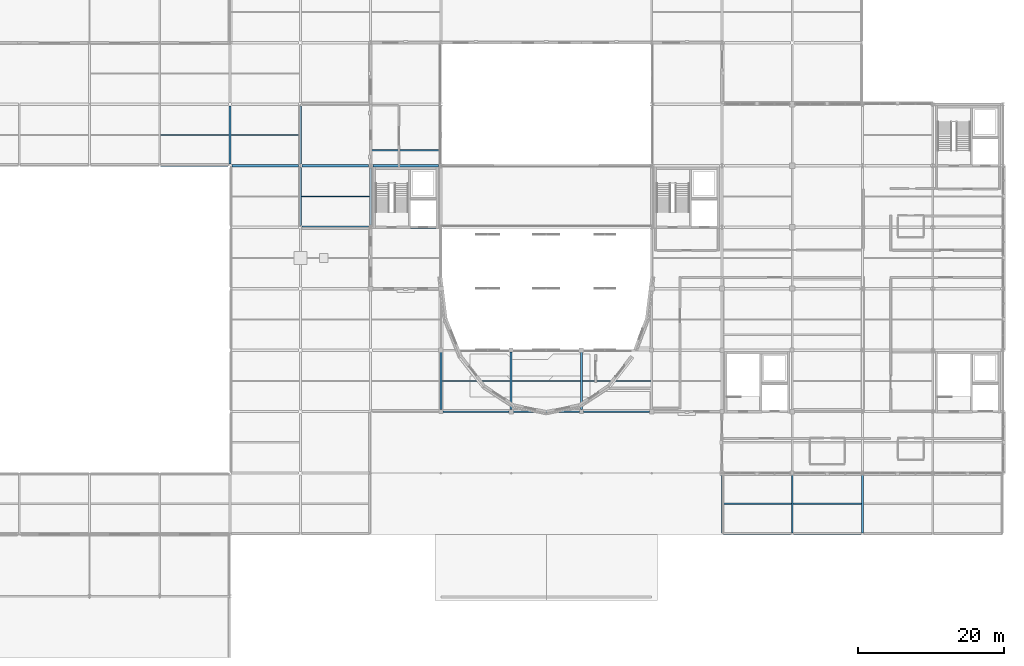
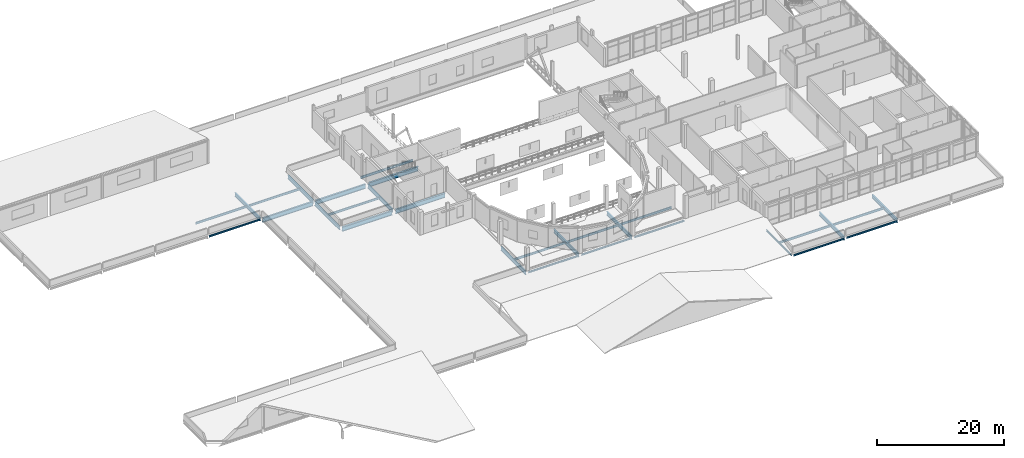
# One storey, part 11 of 52: 30 beams.
"""IFC4 building model written with IfcOpenShell, lengths in metres."""

from ifc_helpers import new_model, si_unit, direction, frame, origin, origin_2d, place, context, subcontext, project, spatial, i_section, extrude, material, material_profile, profile_set, type_object, element, save


model = new_model("IFC4")

# Units and contexts
model_context = context("Model", 3, precision=1e-05, world=origin(), true_north=direction((0.0, 1.0)))
body_context = subcontext(model_context, "Body", "Model", "MODEL_VIEW")
ifc_project = project(units=[si_unit("LENGTHUNIT", "METRE"), si_unit("AREAUNIT", "SQUARE_METRE"), si_unit("VOLUMEUNIT", "CUBIC_METRE"), si_unit("PLANEANGLEUNIT", "RADIAN"), si_unit("MASSUNIT", "GRAM", prefix="KILO")], contexts=[model_context])

# Site, building, storey
site_placement = place(None, origin())
site = spatial("IfcSite", under=ifc_project, at=site_placement, CompositionType="ELEMENT")
building_placement = place(site_placement, origin())
building = spatial("IfcBuilding", under=site, at=building_placement, Name="Lornevale Opera House", CompositionType="ELEMENT")
storey_placement = place(building_placement, frame((0.0, 0.0, 15.0)))
storey = spatial("IfcBuildingStorey", under=building, at=storey_placement, Name="L04", CompositionType="ELEMENT", Elevation=15.0)

# Beams
ifc_material = material(Name="Structural Steel CSA G40.21 Grade 350W (350 MPa)", Category="steel")
ifc_material_profile_1 = material_profile(ifc_material, i_section(OverallWidth=0.19091796875, OverallDepth=0.4599609375, WebThickness=0.010009765625, FlangeThickness=0.01611328125, at=origin_2d()), Name="W460x82")
ifc_profile_set_1 = profile_set([ifc_material_profile_1], Name="Structural Steel CSA G40.21 Grade 350W (350 MPa)")
beam_type_1 = type_object("IfcBeamType", Name="Stage Gallery Beam W460x82", PredefinedType="JOIST", material=ifc_profile_set_1)
beam_1_placement = place(storey_placement, frame((57.64990234375, 69.300048828125, -0.52001953125), z_axis=(1.0, 0.0, 0.0), x_axis=(0.0, 1.0, 0.0)))
element("IfcBeam", 1, at=beam_1_placement, inside=storey, type_object=beam_type_1, Name="Stage Gallery Beam W460x82 3053", PredefinedType="JOIST", context=body_context, shape_type="SweptSolid", body=[
    extrude(i_section(OverallWidth=0.19091796875, OverallDepth=0.4599609375, WebThickness=0.010009765625, FlangeThickness=0.01611328125, at=origin_2d()), origin(), (0.0, 0.0, 1.0), 9.5),
])
ifc_material_profile_2 = material_profile(ifc_material, i_section(OverallWidth=0.299072265625, OverallDepth=0.845947265625, WebThickness=0.015380859375, FlangeThickness=0.0244140625, at=origin_2d()), Name="W840x210")
ifc_profile_set_2 = profile_set([ifc_material_profile_2], Name="Structural Steel CSA G40.21 Grade 350W (350 MPa)")
beam_type_2 = type_object("IfcBeamType", Name="Steel Clear-Span Girder W840x210", PredefinedType="USERDEFINED", material=ifc_profile_set_2)
beam_2_placement = place(storey_placement, frame((48.25, 58.800048828125, -0.72802734375), z_axis=(1.0, 0.0, 0.0), x_axis=(0.0, 1.0, 0.0)))
element("IfcBeam", 2, at=beam_2_placement, inside=storey, type_object=beam_type_2, Name="Steel Clear-Span Girder W840x210 2510", ObjectType="GIRDER", PredefinedType="USERDEFINED", context=body_context, shape_type="SweptSolid", body=[
    extrude(i_section(OverallWidth=0.299072265625, OverallDepth=0.845947265625, WebThickness=0.015380859375, FlangeThickness=0.0244140625, at=origin_2d()), origin(), (0.0, 0.0, 1.0), 9.050048828125),
])
beam_3_placement = place(storey_placement, frame((57.89990234375, 58.800048828125, -0.72802734375), z_axis=(1.0, 0.0, 0.0), x_axis=(0.0, 1.0, 0.0)))
element("IfcBeam", 3, at=beam_3_placement, inside=storey, type_object=beam_type_2, Name="Steel Clear-Span Girder W840x210 2511", ObjectType="GIRDER", PredefinedType="USERDEFINED", context=body_context, shape_type="SweptSolid", body=[
    extrude(i_section(OverallWidth=0.299072265625, OverallDepth=0.845947265625, WebThickness=0.015380859375, FlangeThickness=0.0244140625, at=origin_2d()), origin(), (0.0, 0.0, 1.0), 8.97509765625),
])
beam_4_placement = place(storey_placement, frame((38.64990234375, 67.199951171875, -0.72802734375), z_axis=(1.0, 0.0, 0.0), x_axis=(0.0, 1.0, 0.0)))
element("IfcBeam", 4, at=beam_4_placement, inside=storey, type_object=beam_type_2, Name="Steel Clear-Span Girder W840x210 2522", ObjectType="GIRDER", PredefinedType="USERDEFINED", context=body_context, shape_type="SweptSolid", body=[
    extrude(i_section(OverallWidth=0.299072265625, OverallDepth=0.845947265625, WebThickness=0.015380859375, FlangeThickness=0.0244140625, at=origin_2d()), origin(), (0.0, 0.0, 1.0), 9.125),
])
beam_5_placement = place(storey_placement, frame((48.22509765625, 67.199951171875, -0.72802734375), z_axis=(1.0, 0.0, 0.0), x_axis=(0.0, 1.0, 0.0)))
element("IfcBeam", 5, at=beam_5_placement, inside=storey, type_object=beam_type_2, Name="Steel Clear-Span Girder W840x210 2523", ObjectType="GIRDER", PredefinedType="USERDEFINED", context=body_context, shape_type="SweptSolid", body=[
    extrude(i_section(OverallWidth=0.299072265625, OverallDepth=0.845947265625, WebThickness=0.015380859375, FlangeThickness=0.0244140625, at=origin_2d()), origin(), (0.0, 0.0, 1.0), 9.074951171875),
])
beam_6_placement = place(storey_placement, frame((57.89990234375, 67.199951171875, -0.697998046875), z_axis=(1.0, 0.0, 0.0), x_axis=(0.0, 1.0, 0.0)))
element("IfcBeam", 6, at=beam_6_placement, inside=storey, type_object=beam_type_2, Name="Steel Clear-Span Girder W840x210 2524", ObjectType="GIRDER", PredefinedType="USERDEFINED", context=body_context, shape_type="SweptSolid", body=[
    extrude(i_section(OverallWidth=0.299072265625, OverallDepth=0.845947265625, WebThickness=0.015380859375, FlangeThickness=0.0244140625, at=origin_2d()), origin(), (0.0, 0.0, 1.0), 8.97509765625),
])
ifc_material_profile_3 = material_profile(ifc_material, i_section(OverallWidth=0.179931640625, OverallDepth=0.4130859375, WebThickness=0.009765625, FlangeThickness=0.01611328125, at=origin_2d()), Name="W410x74")
ifc_profile_set_3 = profile_set([ifc_material_profile_3], Name="Structural Steel CSA G40.21 Grade 350W (350 MPa)")
beam_type_3 = type_object("IfcBeamType", Name="Steel Floor Joist W410x74", PredefinedType="JOIST", material=ifc_profile_set_3)
for number, where, z_axis, x_axis, name in (
    (7, (28.927001953125, 71.39990234375, -0.511474609375), (1.0, 0.0, 0.0), (0.0, 1.0, 0.0), "Steel Floor Joist W410x74 2661"),
    (8, (38.527099609375, 71.39990234375, -0.511474609375), (1.0, 0.0, 0.0), (0.0, 1.0, 0.0), "Steel Floor Joist W410x74 2669"),
    (9, (48.126953125, 63.0, -0.511474609375), (1.0, 0.0, 0.0), (0.0, 1.0, 0.0), "Steel Floor Joist W410x74 2676"),
):
    element("IfcBeam", number, at=place(storey_placement, frame(where, z_axis=z_axis, x_axis=x_axis)), inside=storey, type_object=beam_type_3, Name=name, PredefinedType="JOIST", context=body_context, shape_type="SweptSolid", body=[
        extrude(i_section(OverallWidth=0.179931640625, OverallDepth=0.4130859375, WebThickness=0.009765625, FlangeThickness=0.01611328125, at=origin_2d()), origin(), (0.0, 0.0, 1.0), 9.345947265625),
    ])
beam_7_placement = place(storey_placement, frame((67.326904296875, 37.800048828125, -0.511474609375), z_axis=(1.0, 0.0, 0.0), x_axis=(0.0, 1.0, 0.0)))
element("IfcBeam", 10, at=beam_7_placement, inside=storey, type_object=beam_type_3, Name="Steel Floor Joist W410x74 2682", PredefinedType="JOIST", context=body_context, shape_type="SweptSolid", body=[
    extrude(i_section(OverallWidth=0.179931640625, OverallDepth=0.4130859375, WebThickness=0.009765625, FlangeThickness=0.01611328125, at=origin_2d()), origin(), (0.0, 0.0, 1.0), 9.34619140625),
])
for number, where, z_axis, x_axis, name in (
    (11, (76.927001953125, 37.800048828125, -0.511474609375), (1.0, 0.0, 0.0), (0.0, 1.0, 0.0), "Steel Floor Joist W410x74 2683"),
    (12, (86.527099609375, 37.800048828125, -0.511474609375), (1.0, 0.0, 0.0), (0.0, 1.0, 0.0), "Steel Floor Joist W410x74 2684"),
):
    element("IfcBeam", number, at=place(storey_placement, frame(where, z_axis=z_axis, x_axis=x_axis)), inside=storey, type_object=beam_type_3, Name=name, PredefinedType="JOIST", context=body_context, shape_type="SweptSolid", body=[
        extrude(i_section(OverallWidth=0.179931640625, OverallDepth=0.4130859375, WebThickness=0.009765625, FlangeThickness=0.01611328125, at=origin_2d()), origin(), (0.0, 0.0, 1.0), 9.345947265625),
    ])
beam_8_placement = place(storey_placement, frame((105.68359375, 21.0, -0.511474609375), z_axis=(1.0, 0.0, 0.0), x_axis=(0.0, 1.0, 0.0)))
element("IfcBeam", 13, at=beam_8_placement, inside=storey, type_object=beam_type_3, Name="Steel Floor Joist W410x74 2689", PredefinedType="JOIST", context=body_context, shape_type="SweptSolid", body=[
    extrude(i_section(OverallWidth=0.179931640625, OverallDepth=0.4130859375, WebThickness=0.009765625, FlangeThickness=0.01611328125, at=origin_2d()), origin(), (0.0, 0.0, 1.0), 9.389404296875),
])
beam_9_placement = place(storey_placement, frame((115.326904296875, 21.0, -0.511474609375), z_axis=(1.0, 0.0, 0.0), x_axis=(0.0, 1.0, 0.0)))
element("IfcBeam", 14, at=beam_9_placement, inside=storey, type_object=beam_type_3, Name="Steel Floor Joist W410x74 2695", PredefinedType="JOIST", context=body_context, shape_type="SweptSolid", body=[
    extrude(i_section(OverallWidth=0.179931640625, OverallDepth=0.4130859375, WebThickness=0.009765625, FlangeThickness=0.01611328125, at=origin_2d()), origin(), (0.0, 0.0, 1.0), 9.34619140625),
])
ifc_material_profile_4 = material_profile(ifc_material, i_section(OverallWidth=0.25390625, OverallDepth=0.68798828125, WebThickness=0.01318359375, FlangeThickness=0.02099609375, at=origin_2d()), Name="W690x152")
ifc_profile_set_4 = profile_set([ifc_material_profile_4], Name="Structural Steel CSA G40.21 Grade 350W (350 MPa)")
beam_type_4 = type_object("IfcBeamType", Name="Steel Foyer Beam W690x152", PredefinedType="USERDEFINED", material=ifc_profile_set_4)
for number, where, z_axis, x_axis, name in (
    (15, (38.39990234375, 67.449951171875, -0.64892578125), (0.0, 1.0, 0.0), (-1.0, 0.0, 0.0), "Steel Foyer Beam W690x152 2577"),
    (16, (48.0, 59.050048828125, -0.64892578125), (0.0, 1.0, 0.0), (-1.0, 0.0, 0.0), "Steel Foyer Beam W690x152 2585"),
    (17, (48.0, 67.425048828125, -0.64892578125), (0.0, 1.0, 0.0), (-1.0, 0.0, 0.0), "Steel Foyer Beam W690x152 2586"),
):
    element("IfcBeam", number, at=place(storey_placement, frame(where, z_axis=z_axis, x_axis=x_axis)), inside=storey, type_object=beam_type_4, Name=name, ObjectType="GIRDER", PredefinedType="USERDEFINED", context=body_context, shape_type="SweptSolid", body=[
        extrude(i_section(OverallWidth=0.25390625, OverallDepth=0.68798828125, WebThickness=0.01318359375, FlangeThickness=0.02099609375, at=origin_2d()), origin(), (0.0, 0.0, 1.0), 7.925048828125),
    ])
beam_10_placement = place(storey_placement, frame((57.60009765625, 59.10009765625, -0.64892578125), z_axis=(0.0, 1.0, 0.0), x_axis=(-1.0, 0.0, 0.0)))
element("IfcBeam", 18, at=beam_10_placement, inside=storey, type_object=beam_type_4, Name="Steel Foyer Beam W690x152 2594", ObjectType="GIRDER", PredefinedType="USERDEFINED", context=body_context, shape_type="SweptSolid", body=[
    extrude(i_section(OverallWidth=0.25390625, OverallDepth=0.68798828125, WebThickness=0.01318359375, FlangeThickness=0.02099609375, at=origin_2d()), origin(), (0.0, 0.0, 1.0), 7.7998046875),
])
for number, where, z_axis, x_axis, name in (
    (19, (67.199951171875, 33.875, -0.64892578125), (0.0, 1.0, 0.0), (-1.0, 0.0, 0.0), "Steel Foyer Beam W690x152 2597"),
    (20, (76.800048828125, 33.875, -0.64892578125), (0.0, 1.0, 0.0), (-1.0, 0.0, 0.0), "Steel Foyer Beam W690x152 2604"),
    (21, (86.39990234375, 33.875, -0.64892578125), (0.0, 1.0, 0.0), (-1.0, 0.0, 0.0), "Steel Foyer Beam W690x152 2605"),
):
    element("IfcBeam", number, at=place(storey_placement, frame(where, z_axis=z_axis, x_axis=x_axis)), inside=storey, type_object=beam_type_4, Name=name, ObjectType="GIRDER", PredefinedType="USERDEFINED", context=body_context, shape_type="SweptSolid", body=[
        extrude(i_section(OverallWidth=0.25390625, OverallDepth=0.68798828125, WebThickness=0.01318359375, FlangeThickness=0.02099609375, at=origin_2d()), origin(), (0.0, 0.0, 1.0), 7.85009765625),
    ])
beam_11_placement = place(storey_placement, frame((115.199951171875, 17.050048828125, -0.64892578125), z_axis=(0.0, 1.0, 0.0), x_axis=(-1.0, 0.0, 0.0)))
element("IfcBeam", 22, at=beam_11_placement, inside=storey, type_object=beam_type_4, Name="Steel Foyer Beam W690x152 2621", ObjectType="GIRDER", PredefinedType="USERDEFINED", context=body_context, shape_type="SweptSolid", body=[
    extrude(i_section(OverallWidth=0.25390625, OverallDepth=0.68798828125, WebThickness=0.01318359375, FlangeThickness=0.02099609375, at=origin_2d()), origin(), (0.0, 0.0, 1.0), 7.875),
])
beam_12_placement = place(storey_placement, frame((124.800048828125, 17.02490234375, -0.64892578125), z_axis=(0.0, 1.0, 0.0), x_axis=(-1.0, 0.0, 0.0)))
element("IfcBeam", 23, at=beam_12_placement, inside=storey, type_object=beam_type_4, Name="Steel Foyer Beam W690x152 2630", ObjectType="GIRDER", PredefinedType="USERDEFINED", context=body_context, shape_type="SweptSolid", body=[
    extrude(i_section(OverallWidth=0.25390625, OverallDepth=0.68798828125, WebThickness=0.01318359375, FlangeThickness=0.02099609375, at=origin_2d()), origin(), (0.0, 0.0, 1.0), 7.900146484375),
])
ifc_material_profile_5 = material_profile(ifc_material, i_section(OverallWidth=0.1669921875, OverallDepth=0.31689453125, WebThickness=0.007568359375, FlangeThickness=0.01318359375, at=origin_2d()), Name="W310x52")
ifc_profile_set_5 = profile_set([ifc_material_profile_5], Name="Structural Steel CSA G40.21 Grade 350W (350 MPa)")
beam_type_5 = type_object("IfcBeamType", Name="Steel Spandrel Beam W310x52", PredefinedType="SPANDREL", material=ifc_profile_set_5)
for number, where, z_axis, x_axis, name in (
    (24, (105.824951171875, 16.800048828125, -0.46337890625), (1.0, 0.0, 0.0), (0.0, 1.0, 0.0), "Steel Spandrel Beam W310x52 2465"),
    (25, (115.449951171875, 16.800048828125, -0.46337890625), (1.0, 0.0, 0.0), (0.0, 1.0, 0.0), "Steel Spandrel Beam W310x52 2466"),
):
    element("IfcBeam", number, at=place(storey_placement, frame(where, z_axis=z_axis, x_axis=x_axis)), inside=storey, type_object=beam_type_5, Name=name, PredefinedType="SPANDREL", context=body_context, shape_type="SweptSolid", body=[
        extrude(i_section(OverallWidth=0.1669921875, OverallDepth=0.31689453125, WebThickness=0.007568359375, FlangeThickness=0.01318359375, at=origin_2d()), origin(), (0.0, 0.0, 1.0), 9.125),
    ])
beam_13_placement = place(storey_placement, frame((67.47509765625, 33.60009765625, -0.46337890625), z_axis=(1.0, 0.0, 0.0), x_axis=(0.0, 1.0, 0.0)))
element("IfcBeam", 26, at=beam_13_placement, inside=storey, type_object=beam_type_5, Name="Steel Spandrel Beam W310x52 2482", PredefinedType="SPANDREL", context=body_context, shape_type="SweptSolid", body=[
    extrude(i_section(OverallWidth=0.1669921875, OverallDepth=0.31689453125, WebThickness=0.007568359375, FlangeThickness=0.01318359375, at=origin_2d()), origin(), (0.0, 0.0, 1.0), 9.0498046875),
])
for number, where, z_axis, x_axis, name in (
    (27, (77.074951171875, 33.60009765625, -0.46337890625), (1.0, 0.0, 0.0), (0.0, 1.0, 0.0), "Steel Spandrel Beam W310x52 2483"),
    (28, (86.675048828125, 33.60009765625, -0.46337890625), (1.0, 0.0, 0.0), (0.0, 1.0, 0.0), "Steel Spandrel Beam W310x52 2484"),
):
    element("IfcBeam", number, at=place(storey_placement, frame(where, z_axis=z_axis, x_axis=x_axis)), inside=storey, type_object=beam_type_5, Name=name, PredefinedType="SPANDREL", context=body_context, shape_type="SweptSolid", body=[
        extrude(i_section(OverallWidth=0.1669921875, OverallDepth=0.31689453125, WebThickness=0.007568359375, FlangeThickness=0.01318359375, at=origin_2d()), origin(), (0.0, 0.0, 1.0), 9.050048828125),
    ])
beam_14_placement = place(storey_placement, frame((28.904541015625, 67.199951171875, -0.46337890625), z_axis=(1.0, 0.0, 0.0), x_axis=(0.0, 1.0, 0.0)))
element("IfcBeam", 29, at=beam_14_placement, inside=storey, type_object=beam_type_5, Name="Steel Spandrel Beam W310x52 2521", PredefinedType="SPANDREL", context=body_context, shape_type="SweptSolid", body=[
    extrude(i_section(OverallWidth=0.1669921875, OverallDepth=0.31689453125, WebThickness=0.007568359375, FlangeThickness=0.01318359375, at=origin_2d()), origin(), (0.0, 0.0, 1.0), 9.245361328125),
])
beam_15_placement = place(storey_placement, frame((105.60009765625, 17.02490234375, -0.46337890625), z_axis=(0.0, 1.0, 0.0), x_axis=(-1.0, 0.0, 0.0)))
element("IfcBeam", 30, at=beam_15_placement, inside=storey, type_object=beam_type_5, Name="Steel Spandrel Beam W310x52 2613", PredefinedType="SPANDREL", context=body_context, shape_type="SweptSolid", body=[
    extrude(i_section(OverallWidth=0.1669921875, OverallDepth=0.31689453125, WebThickness=0.007568359375, FlangeThickness=0.01318359375, at=origin_2d()), origin(), (0.0, 0.0, 1.0), 7.900146484375),
])

save(model, "model.ifc")
